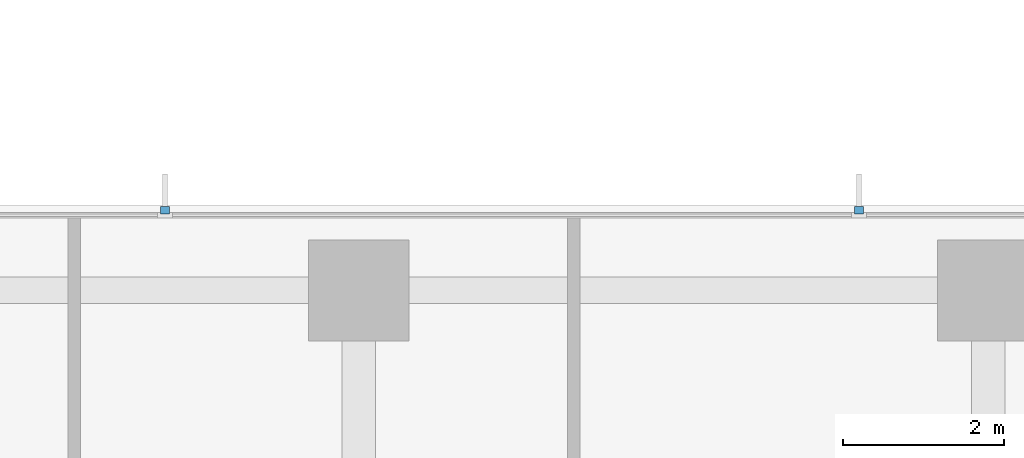
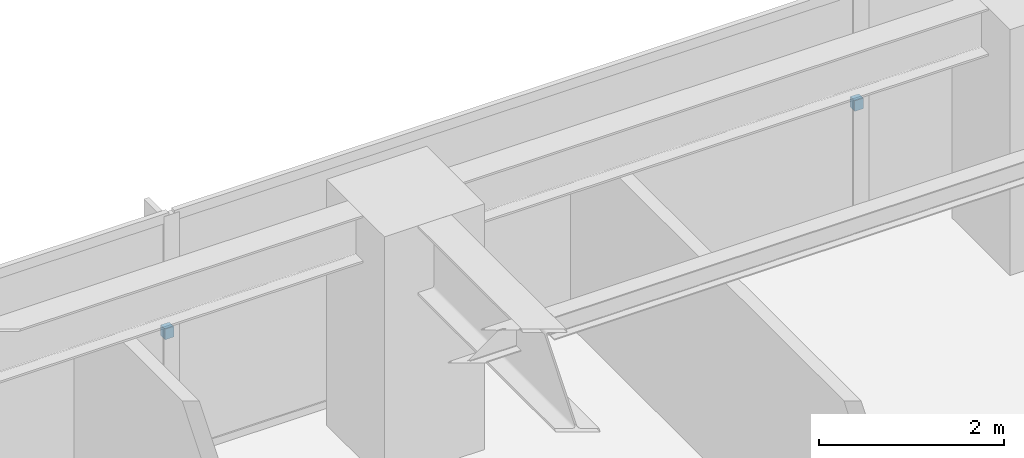
# One storey, part 15 of 17: 2 discrete accessories.
"""IFC4 building model written with IfcOpenShell, lengths in metres."""

import ifcopenshell
import ifcopenshell.guid

model = None  # the IFC model being written
_history = None  # IfcOwnerHistory: only IFC2X3 demands one
_inside = {}  # id of a spatial element -> (the spatial element, [elements in it])
_under = {}  # id of a project, library or spatial element -> (it, [spatial elements below it])
_declared = {}  # id of a project -> (the project, [libraries it declares])
_typed = {}  # id of a type object -> (the type object, [elements of that type])
_made_of = {}  # id of a material, layer set ... -> (it, [elements and type objects made of it])


def new_model(schema):
    """Start an empty IFC model of exactly this schema.

    Asked for "IFC4X3", IfcOpenShell would pick the latest addendum, in which some entities
    have other attributes; the version numbers below select the first issue.
    IFC2X3 requires an IfcOwnerHistory on every rooted entity: one is made here for all.
    """
    global model, _history
    if schema == "IFC4X3":
        model = ifcopenshell.file(schema_version=(4, 3, 0, 0))
    else:
        model = ifcopenshell.file(schema=schema)
    _inside.clear()
    _under.clear()
    _declared.clear()
    _typed.clear()
    _made_of.clear()
    _history = None
    if model.schema == "IFC2X3":
        org = make("IfcOrganization", Name="unknown")
        user = make(
            "IfcPersonAndOrganization",
            ThePerson=make("IfcPerson", FamilyName="unknown"),
            TheOrganization=org,
        )
        app = make(
            "IfcApplication",
            ApplicationDeveloper=org,
            Version="unknown",
            ApplicationFullName="unknown",
            ApplicationIdentifier="unknown",
        )
        _history = make(
            "IfcOwnerHistory",
            OwningUser=user,
            OwningApplication=app,
            ChangeAction="ADDED",
            CreationDate=0,
        )
    return model


def make(cls, **values):
    """One entity of the class cls with the attributes given. An attribute that is None is left unset."""
    return model.create_entity(
        cls, **{name: value for name, value in values.items() if value is not None}
    )


def rooted(cls, **values):
    """An entity with a GlobalId (a new one), such as an element, a storey or a relation."""
    return make(cls, GlobalId=ifcopenshell.guid.new(), OwnerHistory=_history, **values)


def si_unit(unit_type, name, prefix=None):
    """IfcSIUnit, for example si_unit("LENGTHUNIT", "METRE", prefix="MILLI")."""
    return make("IfcSIUnit", UnitType=unit_type, Prefix=prefix, Name=name)


def assignment(units):
    """IfcUnitAssignment: the units of a project."""
    return None if units is None else make("IfcUnitAssignment", Units=units)


def point(xyz):
    """IfcCartesianPoint."""
    return None if xyz is None else make("IfcCartesianPoint", Coordinates=xyz)


def direction(xyz):
    """IfcDirection."""
    return None if xyz is None else make("IfcDirection", DirectionRatios=xyz)


def frame(location, z_axis=None, x_axis=None):
    """IfcAxis2Placement3D, a coordinate frame: its origin and axes. An axis left out is left unset."""
    return make(
        "IfcAxis2Placement3D",
        Location=point(location),
        Axis=direction(z_axis),
        RefDirection=direction(x_axis),
    )


def origin():
    """The frame at (0, 0, 0) with its axes left unset."""
    return frame((0.0, 0.0, 0.0))


def place(relative_to, where):
    """IfcLocalPlacement: puts the frame where relative to a parent placement (None: the world)."""
    return make(
        "IfcLocalPlacement", PlacementRelTo=relative_to, RelativePlacement=where
    )


def context(
    kind, dimensions, precision=None, world=None, true_north=None, identifier=None
):
    """IfcGeometricRepresentationContext, for example the 3D "Model" context."""
    return make(
        "IfcGeometricRepresentationContext",
        ContextIdentifier=identifier,
        ContextType=kind,
        CoordinateSpaceDimension=dimensions,
        Precision=precision,
        WorldCoordinateSystem=world,
        TrueNorth=true_north,
    )


def subcontext(parent, identifier, kind, view, scale=None):
    """IfcGeometricRepresentationSubContext, for example "Body" below "Model"."""
    return make(
        "IfcGeometricRepresentationSubContext",
        ContextIdentifier=identifier,
        ContextType=kind,
        ParentContext=parent,
        TargetScale=scale,
        TargetView=view,
    )


def project(units=None, contexts=None):
    """IfcProject with its units and contexts."""
    return rooted(
        "IfcProject",
        Name="project",
        RepresentationContexts=contexts,
        UnitsInContext=assignment(units),
    )


def spatial(cls, under=None, at=None, **own):
    """A site, building, storey or space (cls), placed at a placement, below another one or the project."""
    s = rooted(cls, ObjectPlacement=at, **own)
    if under is not None:
        _under.setdefault(under.id(), (under, []))[1].append(s)
    return s


def polyline(points):
    """IfcPolyline through the points."""
    return make("IfcPolyline", Points=[point(p) for p in points])


def outline(outer, holes=None, kind="AREA"):
    """IfcArbitraryClosedProfileDef: a profile drawn as a closed curve; with holes, ...WithVoids."""
    if holes is None:
        return make("IfcArbitraryClosedProfileDef", ProfileType=kind, OuterCurve=outer)
    return make(
        "IfcArbitraryProfileDefWithVoids",
        ProfileType=kind,
        OuterCurve=outer,
        InnerCurves=holes,
    )


def extrude(swept, where, along, depth):
    """IfcExtrudedAreaSolid: the profile swept, set in the frame where, extruded along a direction by depth."""
    return make(
        "IfcExtrudedAreaSolid",
        SweptArea=swept,
        Position=where,
        ExtrudedDirection=direction(along),
        Depth=depth,
    )


def shape(context_of_items, identifier, shape_type, items):
    """IfcShapeRepresentation: the items that make up one representation, for example the "Body"."""
    return make(
        "IfcShapeRepresentation",
        ContextOfItems=context_of_items,
        RepresentationIdentifier=identifier,
        RepresentationType=shape_type,
        Items=items,
    )


def material(Name=None, Category=None):
    """IfcMaterial."""
    return make("IfcMaterial", Name=Name, Category=Category)


def made_of(thing, what):
    """Note that an element or type object is made of a material, layer set ...; save() writes the relation."""
    if what is not None:
        _made_of.setdefault(what.id(), (what, []))[1].append(thing)
    return thing


def type_object(cls, material=None, **own):
    """A type object (cls), such as IfcWallType, which elements share."""
    return made_of(rooted(cls, **own), material)


def element(
    cls,
    number,
    at=None,
    inside=None,
    cuts=None,
    type_object=None,
    material=None,
    context=None,
    identifier="Body",
    shape_type=None,
    held_by="IfcProductDefinitionShape",
    body=None,
    shapes=None,
    **own,
):
    """One element of the class cls, such as IfcWall. Its Tag is "e" and its number.

    at: its placement. inside: the storey or other place that contains it. cuts: it is an
    opening in that element (IfcRelVoidsElement). A single representation is given by context,
    identifier, shape_type and body (its items); several are given by shapes. held_by: the class
    of the entity that holds the representations. save() writes the other relations.
    """
    e = rooted(cls, Tag="e%d" % number, ObjectPlacement=at, **own)
    if body is not None:
        shapes = [shape(context, identifier, shape_type, body)]
    if shapes is not None:
        e.Representation = make(held_by, Representations=shapes)
    if inside is not None:
        _inside.setdefault(inside.id(), (inside, []))[1].append(e)
    if cuts is not None:
        rooted(
            "IfcRelVoidsElement", RelatingBuildingElement=cuts, RelatedOpeningElement=e
        )
    if type_object is not None:
        _typed.setdefault(type_object.id(), (type_object, []))[1].append(e)
    return made_of(e, material)


def aggregate(whole, parts):
    """IfcRelAggregates: a whole, such as a stair, and the parts it consists of."""
    return rooted("IfcRelAggregates", RelatingObject=whole, RelatedObjects=parts)


def save(model, path):
    """Write the relations noted so far, then the file.

    IfcRelAggregates (storeys below a building ...), IfcRelContainedInSpatialStructure (elements
    in a storey), IfcRelDefinesByType, IfcRelAssociatesMaterial and IfcRelDeclares: one each for
    every whole, place, type object, material and project.
    """
    for whole, parts in _under.values():
        aggregate(whole, parts)
    for where, things in _inside.values():
        rooted(
            "IfcRelContainedInSpatialStructure",
            RelatedElements=things,
            RelatingStructure=where,
        )
    for kind, things in _typed.values():
        rooted("IfcRelDefinesByType", RelatedObjects=things, RelatingType=kind)
    for what, things in _made_of.values():
        rooted("IfcRelAssociatesMaterial", RelatedObjects=things, RelatingMaterial=what)
    for by, libraries in _declared.values():
        rooted("IfcRelDeclares", RelatingContext=by, RelatedDefinitions=libraries)
    model.write(path)


model = new_model("IFC4")

# Units and contexts
model_context = context("Model", 3, precision=1e-05, world=origin(), true_north=direction((0.0, 1.0)))
body_context = subcontext(model_context, "Body", "Model", "MODEL_VIEW")
ifc_project = project(units=[si_unit("LENGTHUNIT", "METRE"), si_unit("AREAUNIT", "SQUARE_METRE"), si_unit("VOLUMEUNIT", "CUBIC_METRE"), si_unit("PLANEANGLEUNIT", "RADIAN"), si_unit("MASSUNIT", "GRAM", prefix="KILO")], contexts=[model_context])

# Site, building, storey
site_placement = place(None, origin())
site = spatial("IfcSite", under=ifc_project, at=site_placement, CompositionType="ELEMENT")
building_placement = place(site_placement, origin())
building = spatial("IfcBuilding", under=site, at=building_placement, Name="Qalmaran Belvedere Hotel", CompositionType="ELEMENT")
storey_placement = place(building_placement, frame((0.0, 0.0, 105.699951171875)))
storey = spatial("IfcBuildingStorey", under=building, at=storey_placement, Name="L26", CompositionType="ELEMENT", Elevation=105.699951171875)

# Discrete accessories
ifc_material = material(Name="Stainless Steel 1.4401", Category="steel")
discrete_accessory_type = type_object("IfcDiscreteAccessoryType", Name="BRK-FIN-SS316", PredefinedType="BRACKET", material=ifc_material)
discrete_accessory_1_placement = place(storey_placement, frame((0.0, 0.0, 1.570068359375)))
element("IfcDiscreteAccessory", 1, at=discrete_accessory_1_placement, inside=storey, type_object=discrete_accessory_type, Name="L26 Fin Bracket 1", PredefinedType="BRACKET", context=body_context, shape_type="SweptSolid", body=[
    extrude(outline(polyline([(43.2548828125, 46.39501953125), (43.2548828125, 46.489990234375), (43.14501953125, 46.489990234375), (43.14501953125, 46.39501953125), (43.2548828125, 46.39501953125)])), origin(), (0.0, 0.0, 1.0), 0.139892578125),
])
discrete_accessory_2_placement = place(storey_placement, frame((0.0, 0.0, 1.570068359375)))
element("IfcDiscreteAccessory", 2, at=discrete_accessory_2_placement, inside=storey, type_object=discrete_accessory_type, Name="L26 Fin Bracket 2", PredefinedType="BRACKET", context=body_context, shape_type="SweptSolid", body=[
    extrude(outline(polyline([(34.655029296875, 46.39501953125), (34.655029296875, 46.489990234375), (34.544921875, 46.489990234375), (34.544921875, 46.39501953125), (34.655029296875, 46.39501953125)])), origin(), (0.0, 0.0, 1.0), 0.139892578125),
])

save(model, "model.ifc")
